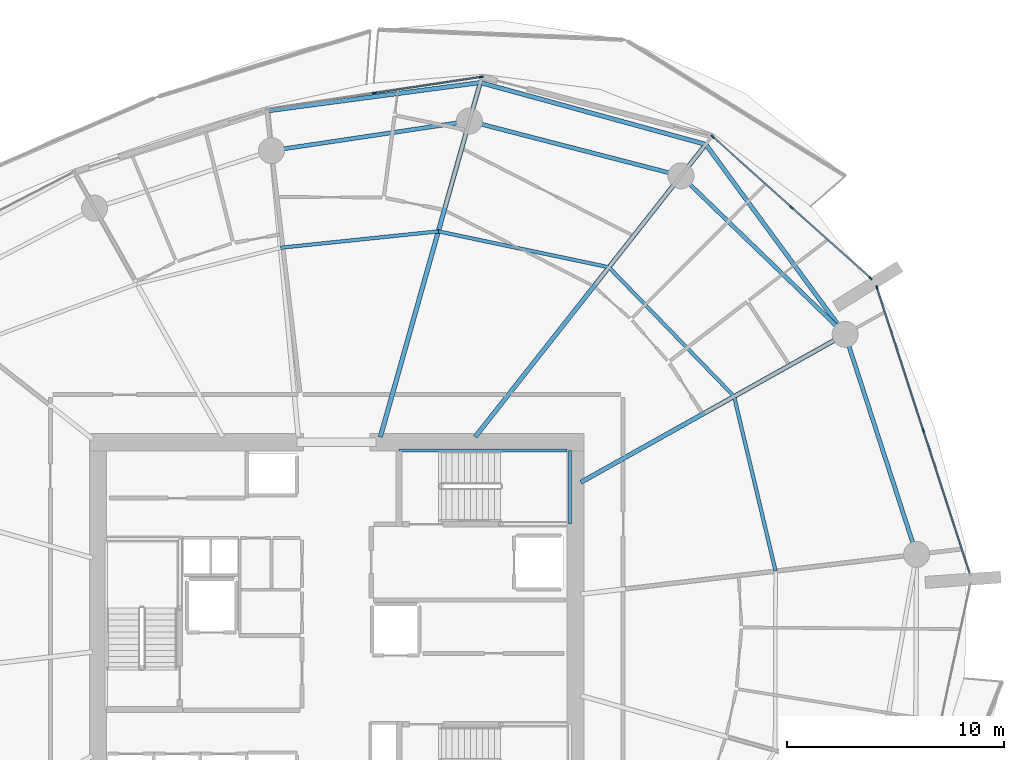
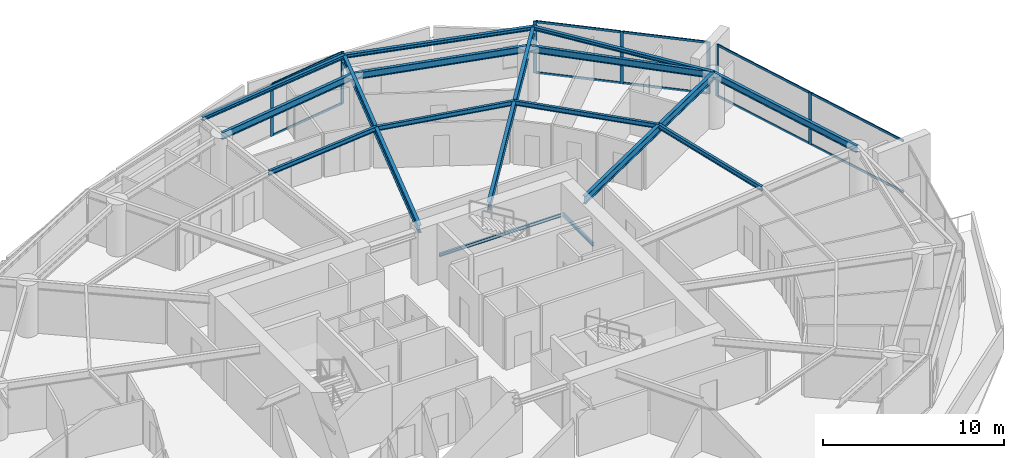
# One storey, part 9 of 23: 17 members, 16 beams, 3 elements without a shape of their own.
"""IFC4 building model written with IfcOpenShell, lengths in metres."""

from ifc_helpers import new_model, si_unit, direction, frame, origin, origin_2d, place, context, subcontext, project, spatial, rectangle, i_section, extrude, material, layer, layer_set, material_profile, profile_set, type_object, element, aggregate, save


model = new_model("IFC4")

# Units and contexts
model_context = context("Model", 3, precision=1e-05, world=origin(), true_north=direction((0.0, 1.0)))
body_context = subcontext(model_context, "Body", "Model", "MODEL_VIEW")
ifc_project = project(units=[si_unit("LENGTHUNIT", "METRE"), si_unit("AREAUNIT", "SQUARE_METRE"), si_unit("VOLUMEUNIT", "CUBIC_METRE"), si_unit("PLANEANGLEUNIT", "RADIAN"), si_unit("MASSUNIT", "GRAM", prefix="KILO")], contexts=[model_context])

# Site, building, storey
site_placement = place(None, origin())
site = spatial("IfcSite", under=ifc_project, at=site_placement, CompositionType="ELEMENT")
building_placement = place(site_placement, origin())
building = spatial("IfcBuilding", under=site, at=building_placement, Name="Kazma Halo Residences", CompositionType="ELEMENT")
storey_placement = place(building_placement, frame((0.0, 0.0, 97.64990234375)))
storey = spatial("IfcBuildingStorey", under=building, at=storey_placement, Name="L24", CompositionType="ELEMENT", Elevation=97.64990234375)

# Beams
ifc_material_1 = material(Name="Steel S355", Category="steel")
ifc_material_profile_1 = material_profile(ifc_material_1, i_section(OverallWidth=0.201904296875, OverallDepth=0.2470703125, WebThickness=0.00732421875, FlangeThickness=0.010986328125, FilletRadius=0.011962890625, at=origin_2d()), Name="W250x49.1")
ifc_profile_set_1 = profile_set([ifc_material_profile_1], Name="Steel S355")
beam_type_1 = type_object("IfcBeamType", Name="BM-BAL-CANT", PredefinedType="BEAM", material=ifc_profile_set_1)
beam_1_placement = place(storey_placement, frame((71.9033203125, 55.386474609375, 3.376708984375), z_axis=(-0.59144927253, 0.806342209005, 0.0), x_axis=(-0.806342209005, -0.59144927253, 0.0)))
element("IfcBeam", 1, at=beam_1_placement, inside=storey, type_object=beam_type_1, Name="L24 wave-balcony lead tie beam 01", PredefinedType="BEAM", context=body_context, shape_type="SweptSolid", body=[
    extrude(i_section(OverallWidth=0.201904296875, OverallDepth=0.2470703125, WebThickness=0.00732421875, FlangeThickness=0.010986328125, FilletRadius=0.011962890625, at=origin_2d()), origin(), (0.0, 0.0, 1.0), 10.87939453125),
])
beam_2_placement = place(storey_placement, frame((65.46875, 64.158935546875, 3.376708984375), z_axis=(-0.964396617, 0.264460139, 0.0), x_axis=(-0.264460139, -0.964396617, 0.0)))
element("IfcBeam", 2, at=beam_2_placement, inside=storey, type_object=beam_type_1, Name="L24 wave-balcony tie beam 02", PredefinedType="BEAM", context=body_context, shape_type="SweptSolid", body=[
    extrude(i_section(OverallWidth=0.201904296875, OverallDepth=0.2470703125, WebThickness=0.00732421875, FlangeThickness=0.010986328125, FilletRadius=0.011962890625, at=origin_2d()), origin(), (0.0, 0.0, 1.0), 10.79833984375),
])
beam_3_placement = place(storey_placement, frame((55.054931640625, 67.0146484375, 3.376708984375), z_axis=(-0.991294955884, -0.131659828494, 0.0), x_axis=(0.131659828494, -0.991294955884, 0.0)))
element("IfcBeam", 3, at=beam_3_placement, inside=storey, type_object=beam_type_1, Name="L24 wave-balcony tie beam 03", PredefinedType="BEAM", context=body_context, shape_type="SweptSolid", body=[
    extrude(i_section(OverallWidth=0.201904296875, OverallDepth=0.2470703125, WebThickness=0.00732421875, FlangeThickness=0.010986328125, FilletRadius=0.011962890625, at=origin_2d()), origin(), (0.0, 0.0, 1.0), 9.902099609375),
])
ifc_material_profile_2 = material_profile(ifc_material_1, i_section(OverallWidth=0.208984375, OverallDepth=0.532958984375, WebThickness=0.01025390625, FlangeThickness=0.015625, FilletRadius=0.01611328125, at=origin_2d()), Name="W530x92")
ifc_profile_set_2 = profile_set([ifc_material_profile_2], Name="Steel S355")
beam_type_2 = type_object("IfcBeamType", Name="BM-RAD-W530", PredefinedType="BEAM", material=ifc_profile_set_2)
beam_4_placement = place(storey_placement, frame((59.699951171875, 48.55224609375, 3.233642578125), z_axis=(0.87249559794, 0.488621972055, 0.0), x_axis=(-0.488621972055, 0.87249559794, 0.0)))
element("IfcBeam", 4, at=beam_4_placement, inside=storey, type_object=beam_type_2, Name="L24 radial floor beam 01", PredefinedType="BEAM", context=body_context, shape_type="SweptSolid", body=[
    extrude(i_section(OverallWidth=0.208984375, OverallDepth=0.532958984375, WebThickness=0.01025390625, FlangeThickness=0.015625, FilletRadius=0.01611328125, at=origin_2d()), origin(), (0.0, 0.0, 1.0), 13.98681640625),
])
beam_5_placement = place(storey_placement, frame((54.819091796875, 50.64990234375, 3.233642578125), z_axis=(0.619093774822, 0.785317068436, 0.0), x_axis=(-0.785317068436, 0.619093774822, 0.0)))
element("IfcBeam", 5, at=beam_5_placement, inside=storey, type_object=beam_type_2, Name="L24 radial floor beam 02", PredefinedType="BEAM", context=body_context, shape_type="SweptSolid", body=[
    extrude(i_section(OverallWidth=0.208984375, OverallDepth=0.532958984375, WebThickness=0.01025390625, FlangeThickness=0.015625, FilletRadius=0.01611328125, at=origin_2d()), origin(), (0.0, 0.0, 1.0), 17.201904296875),
])
beam_6_placement = place(storey_placement, frame((50.439697265625, 50.64990234375, 3.233642578125), z_axis=(0.271434928076, 0.962456793742, 0.0), x_axis=(-0.962456793742, 0.271434928076, 0.0)))
element("IfcBeam", 6, at=beam_6_placement, inside=storey, type_object=beam_type_2, Name="L24 radial floor beam 03", PredefinedType="BEAM", context=body_context, shape_type="SweptSolid", body=[
    extrude(i_section(OverallWidth=0.208984375, OverallDepth=0.532958984375, WebThickness=0.01025390625, FlangeThickness=0.015625, FilletRadius=0.01611328125, at=origin_2d()), origin(), (0.0, 0.0, 1.0), 17.003173828125),
])
ifc_material_profile_3 = material_profile(ifc_material_1, i_section(OverallWidth=0.1650390625, OverallDepth=0.31005859375, WebThickness=0.005859375, FlangeThickness=0.009765625, FilletRadius=0.011962890625, at=origin_2d()), Name="W310x38.7")
ifc_profile_set_3 = profile_set([ifc_material_profile_3], Name="Steel S355")
beam_type_3 = type_object("IfcBeamType", Name="BM-SEC-W310B", PredefinedType="JOIST", material=ifc_profile_set_3)
beam_7_placement = place(storey_placement, frame((66.77783203125, 52.51611328125, 3.34521484375), z_axis=(-0.695765378161, 0.718269126827, 0.0), x_axis=(-0.718269126827, -0.695765378161, 0.0)))
element("IfcBeam", 7, at=beam_7_placement, inside=storey, type_object=beam_type_3, Name="L24 circumferential floor joist 01", PredefinedType="JOIST", context=body_context, shape_type="SweptSolid", body=[
    extrude(i_section(OverallWidth=0.1650390625, OverallDepth=0.31005859375, WebThickness=0.005859375, FlangeThickness=0.009765625, FilletRadius=0.011962890625, at=origin_2d()), origin(), (0.0, 0.0, 1.0), 8.310302734375),
])
beam_8_placement = place(storey_placement, frame((60.995849609375, 58.485107421875, 3.34521484375), z_axis=(-0.978607976751, 0.205733876255, 0.0), x_axis=(-0.205733876255, -0.978607976751, 0.0)))
element("IfcBeam", 8, at=beam_8_placement, inside=storey, type_object=beam_type_3, Name="L24 circumferential floor joist 02", PredefinedType="JOIST", context=body_context, shape_type="SweptSolid", body=[
    extrude(i_section(OverallWidth=0.1650390625, OverallDepth=0.31005859375, WebThickness=0.005859375, FlangeThickness=0.009765625, FilletRadius=0.011962890625, at=origin_2d()), origin(), (0.0, 0.0, 1.0), 8.051513671875),
])
beam_9_placement = place(storey_placement, frame((53.116455078125, 60.1416015625, 3.34521484375), z_axis=(-0.994656912508, -0.103235780624, 0.0), x_axis=(0.103235780624, -0.994656912508, 0.0)))
element("IfcBeam", 9, at=beam_9_placement, inside=storey, type_object=beam_type_3, Name="L24 circumferential floor joist 03", PredefinedType="JOIST", context=body_context, shape_type="SweptSolid", body=[
    extrude(i_section(OverallWidth=0.1650390625, OverallDepth=0.31005859375, WebThickness=0.005859375, FlangeThickness=0.009765625, FilletRadius=0.011962890625, at=origin_2d()), origin(), (0.0, 0.0, 1.0), 7.323974609375),
])
beam_10_placement = place(storey_placement, frame((68.69384765625, 44.44921875, 3.34521484375), z_axis=(-0.231087064161, 0.972933075179, 0.0), x_axis=(-0.972933075179, -0.231087064161, 0.0)))
element("IfcBeam", 10, at=beam_10_placement, inside=storey, type_object=beam_type_3, Name="L24 circumferential floor joist 16", PredefinedType="JOIST", context=body_context, shape_type="SweptSolid", body=[
    extrude(i_section(OverallWidth=0.1650390625, OverallDepth=0.31005859375, WebThickness=0.005859375, FlangeThickness=0.009765625, FilletRadius=0.011962890625, at=origin_2d()), origin(), (0.0, 0.0, 1.0), 8.291259765625),
])
ifc_material_profile_4 = material_profile(ifc_material_1, i_section(OverallWidth=0.18994140625, OverallDepth=0.45703125, WebThickness=0.009033203125, FlangeThickness=0.014404296875, FilletRadius=0.01611328125, at=origin_2d()), Name="W460x74")
ifc_profile_set_4 = profile_set([ifc_material_profile_4], Name="Steel S355")
beam_type_4 = type_object("IfcBeamType", Name="BM-SPN-W460", PredefinedType="BEAM", material=ifc_profile_set_4)
beam_11_placement = place(storey_placement, frame((71.9033203125, 55.386474609375, 3.271484375), z_axis=(-0.719336783114, 0.694661494873, 0.0), x_axis=(-0.694661494873, -0.719336783114, 0.0)))
element("IfcBeam", 11, at=beam_11_placement, inside=storey, type_object=beam_type_4, Name="L24 perimeter ring beam 01", PredefinedType="BEAM", context=body_context, shape_type="SweptSolid", body=[
    extrude(i_section(OverallWidth=0.18994140625, OverallDepth=0.45703125, WebThickness=0.009033203125, FlangeThickness=0.014404296875, FilletRadius=0.01611328125, at=origin_2d()), origin(), (0.0, 0.0, 1.0), 10.537353515625),
])
beam_12_placement = place(storey_placement, frame((64.323486328125, 62.706298828125, 3.271484375), z_axis=(-0.968124968683, 0.250467652626, 0.0), x_axis=(-0.250467652626, -0.968124968683, 0.0)))
element("IfcBeam", 12, at=beam_12_placement, inside=storey, type_object=beam_type_4, Name="L24 perimeter ring beam 02", PredefinedType="BEAM", context=body_context, shape_type="SweptSolid", body=[
    extrude(i_section(OverallWidth=0.18994140625, OverallDepth=0.45703125, WebThickness=0.009033203125, FlangeThickness=0.014404296875, FilletRadius=0.01611328125, at=origin_2d()), origin(), (0.0, 0.0, 1.0), 10.092529296875),
])
beam_13_placement = place(storey_placement, frame((54.552734375, 65.234130859375, 3.271484375), z_axis=(-0.989034176303, -0.147686824414, 0.0), x_axis=(0.147686824414, -0.989034176303, 0.0)))
element("IfcBeam", 13, at=beam_13_placement, inside=storey, type_object=beam_type_4, Name="L24 perimeter ring beam 03", PredefinedType="BEAM", context=body_context, shape_type="SweptSolid", body=[
    extrude(i_section(OverallWidth=0.18994140625, OverallDepth=0.45703125, WebThickness=0.009033203125, FlangeThickness=0.014404296875, FilletRadius=0.01611328125, at=origin_2d()), origin(), (0.0, 0.0, 1.0), 9.242431640625),
])
beam_14_placement = place(storey_placement, frame((75.20654296875, 45.22021484375, 3.271484375), z_axis=(-0.309017385422, 0.951056389236, 0.0), x_axis=(-0.951056389236, -0.309017385422, 0.0)))
element("IfcBeam", 14, at=beam_14_placement, inside=storey, type_object=beam_type_4, Name="L24 perimeter ring beam 16", PredefinedType="BEAM", context=body_context, shape_type="SweptSolid", body=[
    extrude(i_section(OverallWidth=0.18994140625, OverallDepth=0.45703125, WebThickness=0.009033203125, FlangeThickness=0.014404296875, FilletRadius=0.01611328125, at=origin_2d()), origin(), (0.0, 0.0, 1.0), 10.689453125),
])
ifc_material_profile_5 = material_profile(ifc_material_1, i_section(OverallWidth=0.133056640625, OverallDepth=0.20703125, WebThickness=0.005859375, FlangeThickness=0.00830078125, FilletRadius=0.010009765625, at=origin_2d()), Name="W200x26.6")
ifc_profile_set_5 = profile_set([ifc_material_profile_5], Name="Steel S355")
beam_type_5 = type_object("IfcBeamType", Name="BM-TRIM-W200", PredefinedType="BEAM", material=ifc_profile_set_5)
beam_15_placement = place(storey_placement, frame((51.31005859375, 50.02001953125, 1.570068359375), z_axis=(1.0, 0.0, 0.0), x_axis=(0.0, 1.0, 0.0)))
element("IfcBeam", 15, at=beam_15_placement, inside=storey, type_object=beam_type_5, Name="L24 ST-02 landing north wall ledger", PredefinedType="BEAM", context=body_context, shape_type="SweptSolid", body=[
    extrude(i_section(OverallWidth=0.133056640625, OverallDepth=0.20703125, WebThickness=0.005859375, FlangeThickness=0.00830078125, FilletRadius=0.010009765625, at=origin_2d()), origin(), (0.0, 0.0, 1.0), 7.760009765625),
])
beam_16_placement = place(storey_placement, frame((59.18994140625, 46.6201171875, 1.570068359375), z_axis=(0.0, 1.0, 0.0), x_axis=(-1.0, 0.0, 0.0)))
element("IfcBeam", 16, at=beam_16_placement, inside=storey, type_object=beam_type_5, Name="L24 ST-02 landing end wall ledger", PredefinedType="BEAM", context=body_context, shape_type="SweptSolid", body=[
    extrude(i_section(OverallWidth=0.133056640625, OverallDepth=0.20703125, WebThickness=0.005859375, FlangeThickness=0.00830078125, FilletRadius=0.010009765625, at=origin_2d()), origin(), (0.0, 0.0, 1.0), 3.39990234375),
])

# Curtain wall, members
ifc_material_2 = material(Name="Aluminium AW-6063 T6 and Triple-Silver Low-E Glass", Category="aluminium")
ifc_layer = layer(ifc_material_2, 0.199951171875)
ifc_layer_set = layer_set([ifc_layer], Name="Aluminium AW-6063 T6 and Triple-Silver Low-E Glass")
curtain_wall_type = type_object("IfcCurtainWallType", Name="CW-SYS-3", PredefinedType="NOTDEFINED", material=ifc_layer_set)
curtain_wall_1_placement = place(storey_placement, origin())
curtain_wall_1 = element("IfcCurtainWall", 17, at=curtain_wall_1_placement, inside=storey, type_object=curtain_wall_type, Name="L24 unitised curtain wall B01", PredefinedType="NOTDEFINED")
ifc_material_3 = material(Name="Aluminium AW-6063 T6", Category="aluminium")
ifc_material_profile_6 = material_profile(ifc_material_3, rectangle(XDim=0.070068359375, YDim=0.199951171875, at=origin_2d()), Name="CWM-70x200")
ifc_profile_set_6 = profile_set([ifc_material_profile_6], Name="Aluminium AW-6063 T6")
member_type_1 = type_object("IfcMemberType", Name="CW-SYS-3-MUL", PredefinedType="MULLION", material=ifc_profile_set_6)
member_1_placement = place(storey_placement, frame((73.071044921875, 57.981201171875, 0.0), z_axis=(0.0, 0.0, 1.0), x_axis=(-0.667794957375, -0.744345279359, 0.0)))
member_1 = element("IfcMember", 18, at=member_1_placement, type_object=member_type_1, Name="CWS-3 mullion 1", PredefinedType="MULLION", context=body_context, shape_type="SweptSolid", body=[
    extrude(rectangle(XDim=0.070068359375, YDim=0.199951171875, at=origin_2d()), origin(), (0.0, 0.0, 1.0), 3.5),
])
member_2_placement = place(storey_placement, frame((69.431396484375, 61.24658203125, 0.0), z_axis=(0.0, 0.0, 1.0), x_axis=(-0.667794957375, -0.744345279359, 0.0)))
member_2 = element("IfcMember", 19, at=member_2_placement, type_object=member_type_1, Name="CWS-3 mullion 2", PredefinedType="MULLION", context=body_context, shape_type="SweptSolid", body=[
    extrude(rectangle(XDim=0.070068359375, YDim=0.199951171875, at=origin_2d()), origin(), (0.0, 0.0, 1.0), 3.5),
])
member_3_placement = place(storey_placement, frame((65.791748046875, 64.51220703125, 0.0), z_axis=(0.0, 0.0, 1.0), x_axis=(-0.667794957375, -0.744345279359, 0.0)))
member_3 = element("IfcMember", 20, at=member_3_placement, type_object=member_type_1, Name="CWS-3 mullion 3", PredefinedType="MULLION", context=body_context, shape_type="SweptSolid", body=[
    extrude(rectangle(XDim=0.070068359375, YDim=0.199951171875, at=origin_2d()), origin(), (0.0, 0.0, 1.0), 3.5),
])

curtain_wall_2_placement = place(storey_placement, origin())
curtain_wall_2 = element("IfcCurtainWall", 21, at=curtain_wall_2_placement, inside=storey, type_object=curtain_wall_type, Name="L24 unitised curtain wall B03", PredefinedType="NOTDEFINED")
member_4_placement = place(storey_placement, frame((55.09423828125, 67.271728515625, 0.0), z_axis=(0.0, 0.0, 1.0), x_axis=(0.148717330409, -0.988879747814, 0.0)))
member_4 = element("IfcMember", 22, at=member_4_placement, type_object=member_type_1, Name="CWS-3 mullion 1", PredefinedType="MULLION", context=body_context, shape_type="SweptSolid", body=[
    extrude(rectangle(XDim=0.070068359375, YDim=0.199951171875, at=origin_2d()), origin(), (0.0, 0.0, 1.0), 3.5),
])
member_5_placement = place(storey_placement, frame((50.156982421875, 66.529296875, 0.0), z_axis=(0.0, 0.0, 1.0), x_axis=(0.148717330409, -0.988879747814, 0.0)))
member_5 = element("IfcMember", 23, at=member_5_placement, type_object=member_type_1, Name="CWS-3 mullion 2", PredefinedType="MULLION", context=body_context, shape_type="SweptSolid", body=[
    extrude(rectangle(XDim=0.070068359375, YDim=0.199951171875, at=origin_2d()), origin(), (0.0, 0.0, 1.0), 3.5),
])

curtain_wall_3_placement = place(storey_placement, origin())
curtain_wall_3 = element("IfcCurtainWall", 24, at=curtain_wall_3_placement, inside=storey, type_object=curtain_wall_type, Name="L24 unitised curtain wall B16", PredefinedType="NOTDEFINED")
member_6_placement = place(storey_placement, frame((75.52099609375, 50.942138671875, 0.0), z_axis=(0.0, 0.0, 1.0), x_axis=(-0.951057722508, -0.309013282008, 0.0)))
member_6 = element("IfcMember", 25, at=member_6_placement, type_object=member_type_1, Name="CWS-3 mullion 2", PredefinedType="MULLION", context=body_context, shape_type="SweptSolid", body=[
    extrude(rectangle(XDim=0.070068359375, YDim=0.199951171875, at=origin_2d()), origin(), (0.0, 0.0, 1.0), 3.5),
])
member_7_placement = place(storey_placement, frame((73.376708984375, 57.54150390625, 0.0), z_axis=(0.0, 0.0, 1.0), x_axis=(-0.951057722508, -0.309013282008, 0.0)))
member_7 = element("IfcMember", 26, at=member_7_placement, type_object=member_type_1, Name="CWS-3 mullion 3", PredefinedType="MULLION", context=body_context, shape_type="SweptSolid", body=[
    extrude(rectangle(XDim=0.070068359375, YDim=0.199951171875, at=origin_2d()), origin(), (0.0, 0.0, 1.0), 3.5),
])

# Member
ifc_material_profile_7 = material_profile(ifc_material_3, rectangle(XDim=0.070068359375, YDim=0.14990234375, at=origin_2d()), Name="CWT-70x150")
ifc_profile_set_7 = profile_set([ifc_material_profile_7], Name="Aluminium AW-6063 T6")
member_type_2 = type_object("IfcMemberType", Name="CW-SYS-3-TRN", PredefinedType="USERDEFINED", material=ifc_profile_set_7)
member_8_placement = place(storey_placement, frame((73.045166015625, 58.004638671875, 0.03515625), z_axis=(-0.744338471453, 0.667802545603, 0.0), x_axis=(-0.667802545603, -0.744338471453, 0.0)))
member_8 = element("IfcMember", 27, at=member_8_placement, type_object=member_type_2, Name="CWS-3 transom 1.1", ObjectType="TRANSOM", PredefinedType="USERDEFINED", context=body_context, shape_type="SweptSolid", body=[
    extrude(rectangle(XDim=0.070068359375, YDim=0.14990234375, at=origin_2d()), origin(), (0.0, 0.0, 1.0), 4.81982421875),
])

member_9_placement = place(storey_placement, frame((73.045166015625, 58.004638671875, 3.465087890625), z_axis=(-0.744338471453, 0.667802545603, 0.0), x_axis=(-0.667802545603, -0.744338471453, 0.0)))
member_9 = element("IfcMember", 28, at=member_9_placement, type_object=member_type_2, Name="CWS-3 transom 1.2", ObjectType="TRANSOM", PredefinedType="USERDEFINED", context=body_context, shape_type="SweptSolid", body=[
    extrude(rectangle(XDim=0.070068359375, YDim=0.14990234375, at=origin_2d()), origin(), (0.0, 0.0, 1.0), 4.81982421875),
])

member_10_placement = place(storey_placement, frame((69.4052734375, 61.27001953125, 0.03515625), z_axis=(-0.744338471453, 0.667802545603, 0.0), x_axis=(-0.667802545603, -0.744338471453, 0.0)))
member_10 = element("IfcMember", 29, at=member_10_placement, type_object=member_type_2, Name="CWS-3 transom 2.1", ObjectType="TRANSOM", PredefinedType="USERDEFINED", context=body_context, shape_type="SweptSolid", body=[
    extrude(rectangle(XDim=0.070068359375, YDim=0.14990234375, at=origin_2d()), origin(), (0.0, 0.0, 1.0), 4.81982421875),
])

member_11_placement = place(storey_placement, frame((69.4052734375, 61.27001953125, 3.465087890625), z_axis=(-0.744338471453, 0.667802545603, 0.0), x_axis=(-0.667802545603, -0.744338471453, 0.0)))
member_11 = element("IfcMember", 30, at=member_11_placement, type_object=member_type_2, Name="CWS-3 transom 2.2", ObjectType="TRANSOM", PredefinedType="USERDEFINED", context=body_context, shape_type="SweptSolid", body=[
    extrude(rectangle(XDim=0.070068359375, YDim=0.14990234375, at=origin_2d()), origin(), (0.0, 0.0, 1.0), 4.81982421875),
])

aggregate(curtain_wall_1, [member_1, member_2, member_3, member_8, member_9, member_10, member_11])

member_12_placement = place(storey_placement, frame((55.0595703125, 67.2666015625, 0.03515625), z_axis=(-0.988876977991, -0.148735746878, 0.0), x_axis=(0.148735746878, -0.988876977991, 0.0)))
member_12 = element("IfcMember", 31, at=member_12_placement, type_object=member_type_2, Name="CWS-3 transom 1.1", ObjectType="TRANSOM", PredefinedType="USERDEFINED", context=body_context, shape_type="SweptSolid", body=[
    extrude(rectangle(XDim=0.070068359375, YDim=0.14990234375, at=origin_2d()), origin(), (0.0, 0.0, 1.0), 4.922607421875),
])

member_13_placement = place(storey_placement, frame((55.0595703125, 67.2666015625, 3.465087890625), z_axis=(-0.988876977991, -0.148735746878, 0.0), x_axis=(0.148735746878, -0.988876977991, 0.0)))
member_13 = element("IfcMember", 32, at=member_13_placement, type_object=member_type_2, Name="CWS-3 transom 1.2", ObjectType="TRANSOM", PredefinedType="USERDEFINED", context=body_context, shape_type="SweptSolid", body=[
    extrude(rectangle(XDim=0.070068359375, YDim=0.14990234375, at=origin_2d()), origin(), (0.0, 0.0, 1.0), 4.922607421875),
])

aggregate(curtain_wall_2, [member_4, member_5, member_12, member_13])

member_14_placement = place(storey_placement, frame((77.654541015625, 44.3759765625, 0.03515625), z_axis=(-0.309000079699, 0.95106201204, 0.0), x_axis=(-0.95106201204, -0.309000079699, 0.0)))
member_14 = element("IfcMember", 33, at=member_14_placement, type_object=member_type_2, Name="CWS-3 transom 1.1", ObjectType="TRANSOM", PredefinedType="USERDEFINED", context=body_context, shape_type="SweptSolid", body=[
    extrude(rectangle(XDim=0.070068359375, YDim=0.14990234375, at=origin_2d()), origin(), (0.0, 0.0, 1.0), 6.869140625),
])

member_15_placement = place(storey_placement, frame((77.654541015625, 44.3759765625, 3.465087890625), z_axis=(-0.309000079699, 0.95106201204, 0.0), x_axis=(-0.95106201204, -0.309000079699, 0.0)))
member_15 = element("IfcMember", 34, at=member_15_placement, type_object=member_type_2, Name="CWS-3 transom 1.2", ObjectType="TRANSOM", PredefinedType="USERDEFINED", context=body_context, shape_type="SweptSolid", body=[
    extrude(rectangle(XDim=0.070068359375, YDim=0.14990234375, at=origin_2d()), origin(), (0.0, 0.0, 1.0), 6.869140625),
])

member_16_placement = place(storey_placement, frame((75.51025390625, 50.975341796875, 0.03515625), z_axis=(-0.309000079699, 0.95106201204, 0.0), x_axis=(-0.95106201204, -0.309000079699, 0.0)))
member_16 = element("IfcMember", 35, at=member_16_placement, type_object=member_type_2, Name="CWS-3 transom 2.1", ObjectType="TRANSOM", PredefinedType="USERDEFINED", context=body_context, shape_type="SweptSolid", body=[
    extrude(rectangle(XDim=0.070068359375, YDim=0.14990234375, at=origin_2d()), origin(), (0.0, 0.0, 1.0), 6.869140625),
])

member_17_placement = place(storey_placement, frame((75.51025390625, 50.975341796875, 3.465087890625), z_axis=(-0.309000079699, 0.95106201204, 0.0), x_axis=(-0.95106201204, -0.309000079699, 0.0)))
member_17 = element("IfcMember", 36, at=member_17_placement, type_object=member_type_2, Name="CWS-3 transom 2.2", ObjectType="TRANSOM", PredefinedType="USERDEFINED", context=body_context, shape_type="SweptSolid", body=[
    extrude(rectangle(XDim=0.070068359375, YDim=0.14990234375, at=origin_2d()), origin(), (0.0, 0.0, 1.0), 6.869140625),
])

aggregate(curtain_wall_3, [member_6, member_7, member_14, member_15, member_16, member_17])

save(model, "model.ifc")
